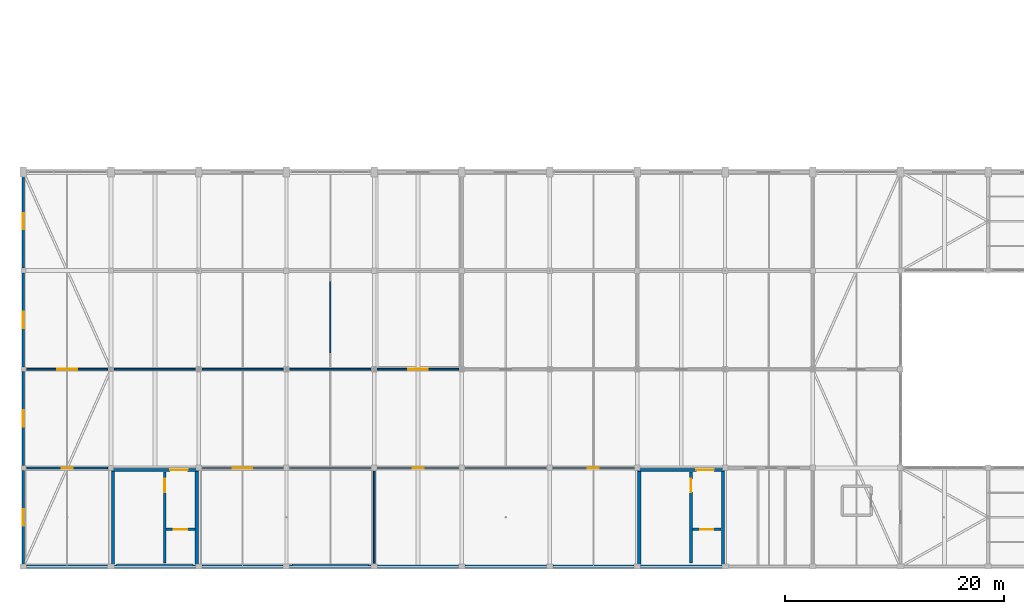
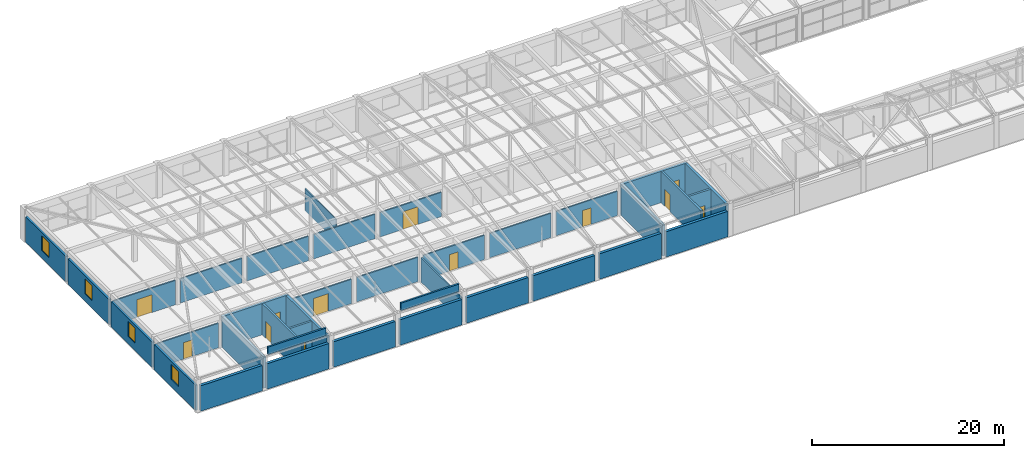
# One storey, part 53 of 65: 37 walls, 12 doors, 4 windows, 16 openings.
"""IFC4 building model written with IfcOpenShell, lengths in metres."""

from ifc_helpers import new_model, si_unit, direction, frame, frame_2d, origin, place, context, subcontext, project, spatial, rectangle, extrude, material, layer, layer_set, type_object, element, fill, save


model = new_model("IFC4")

# Units and contexts
model_context = context("Model", 3, precision=1e-05, world=origin(), true_north=direction((0.0, 1.0)))
body_context = subcontext(model_context, "Body", "Model", "MODEL_VIEW")
ifc_project = project(units=[si_unit("LENGTHUNIT", "METRE"), si_unit("AREAUNIT", "SQUARE_METRE"), si_unit("VOLUMEUNIT", "CUBIC_METRE"), si_unit("PLANEANGLEUNIT", "RADIAN"), si_unit("MASSUNIT", "GRAM", prefix="KILO")], contexts=[model_context])

# Site, building, storey
site_placement = place(None, origin())
site = spatial("IfcSite", under=ifc_project, at=site_placement, CompositionType="ELEMENT")
building_placement = place(site_placement, origin())
building = spatial("IfcBuilding", under=site, at=building_placement, Name="Varnabhumi Central Station", CompositionType="ELEMENT")
storey_placement = place(building_placement, frame((0.0, 0.0, 24.60009765625)))
storey = spatial("IfcBuildingStorey", under=building, at=storey_placement, Name="L05", CompositionType="ELEMENT", Elevation=24.60009765625)

# Walls
ifc_material_1 = material(Name="Concrete M40", Category="concrete")
ifc_layer_1 = layer(ifc_material_1, 0.300048828125, Name="Concrete M40", Category="concrete")
ifc_layer_set_1 = layer_set([ifc_layer_1], Name="Concrete M40")
wall_type_1 = type_object("IfcWallType", Name="WAL-CORE-RC-300", PredefinedType="SHEAR", material=ifc_layer_set_1)
for number, where, z_axis, x_axis, name in (
    (1, (40.179931640625, 0.179931640625, 0.0), (0.0, 0.0, 1.0), (0.0, 1.0, 0.0), "SC1 L05 West Shear Wall"),
    (2, (47.820068359375, 0.179931640625, 0.0), (0.0, 0.0, 1.0), (0.0, 1.0, 0.0), "SC1 L05 East Shear Wall"),
):
    element("IfcWall", number, at=place(storey_placement, frame(where, z_axis=z_axis, x_axis=x_axis)), inside=storey, type_object=wall_type_1, Name=name, PredefinedType="SHEAR", context=body_context, shape_type="SweptSolid", body=[
        extrude(rectangle(XDim=8.64013671875, YDim=0.300048828125, at=frame_2d((4.320068359375, 0.0))), origin(), (0.0, 0.0, 1.0), 3.97998046875),
    ])

# Wall, opening, door
wall_1_placement = place(storey_placement, frame((40.030029296875, 8.820068359375, 0.0), z_axis=(0.0, 0.0, 1.0), x_axis=(1.0, 0.0, 0.0)))
wall_1 = element("IfcWall", 3, at=wall_1_placement, inside=storey, type_object=wall_type_1, Name="SC1 L05 Corridor Shear Wall", PredefinedType="SHEAR", context=body_context, shape_type="SweptSolid", body=[
    extrude(rectangle(XDim=7.93994140625, YDim=0.300048828125, at=frame_2d((3.969970703125, 0.0))), origin(), (0.0, 0.0, 1.0), 3.97998046875),
])
opening_1_placement = place(wall_1_placement, frame((5.35009765625, 0.0, 0.0)))
opening_1 = element("IfcOpeningElement", 4, at=opening_1_placement, cuts=wall_1, Name="Opening FD-60D", PredefinedType="OPENING", context=body_context, shape_type="SweptSolid", body=[
    extrude(rectangle(XDim=1.60009765625, YDim=2.14990234375, at=frame_2d((0.800048828125, 1.074951171875))), frame((0.0, 0.159912109375, 0.0), z_axis=(0.0, -1.0, 0.0), x_axis=(1.0, 0.0, 0.0)), (0.0, 0.0, 1.0), 0.320068359375),
])
ifc_material_2 = material(Name="Intumescent-treated hardwood timber", Category="wood")
door_type_1 = type_object("IfcDoorType", Name="DR-FIRE-60-1600", OperationType="NOTDEFINED", PredefinedType="DOOR", material=ifc_material_2)
door_1_placement = place(opening_1_placement, origin())
door_1 = element("IfcDoor", 5, at=door_1_placement, inside=storey, type_object=door_type_1, Name="SC1 L05 Lobby Fire Door", OperationType="DOUBLE_DOOR_SINGLE_SWING", OverallHeight=2.14990234375, OverallWidth=1.60009765625, PredefinedType="DOOR", context=body_context, shape_type="SweptSolid", body=[
    extrude(rectangle(XDim=1.60009765625, YDim=2.14990234375, at=frame_2d((0.800048828125, 1.074951171875))), frame((0.0, 0.02490234375, 0.0), z_axis=(0.0, -1.0, 0.0), x_axis=(1.0, 0.0, 0.0)), (0.0, 0.0, 1.0), 0.050048828125),
])
fill(opening_1, door_1)

# Walls
for number, where, z_axis, x_axis, name in (
    (6, (88.179931640625, 0.179931640625, 0.0), (0.0, 0.0, 1.0), (0.0, 1.0, 0.0), "SC2 L05 West Shear Wall"),
    (7, (95.820068359375, 0.179931640625, 0.0), (0.0, 0.0, 1.0), (0.0, 1.0, 0.0), "SC2 L05 East Shear Wall"),
):
    element("IfcWall", number, at=place(storey_placement, frame(where, z_axis=z_axis, x_axis=x_axis)), inside=storey, type_object=wall_type_1, Name=name, PredefinedType="SHEAR", context=body_context, shape_type="SweptSolid", body=[
        extrude(rectangle(XDim=8.64013671875, YDim=0.300048828125, at=frame_2d((4.320068359375, 0.0))), origin(), (0.0, 0.0, 1.0), 3.97998046875),
    ])

# Wall, opening, door
wall_2_placement = place(storey_placement, frame((88.030029296875, 8.820068359375, 0.0), z_axis=(0.0, 0.0, 1.0), x_axis=(1.0, 0.0, 0.0)))
wall_2 = element("IfcWall", 8, at=wall_2_placement, inside=storey, type_object=wall_type_1, Name="SC2 L05 Corridor Shear Wall", PredefinedType="SHEAR", context=body_context, shape_type="SweptSolid", body=[
    extrude(rectangle(XDim=7.93994140625, YDim=0.300048828125, at=frame_2d((3.969970703125, 0.0))), origin(), (0.0, 0.0, 1.0), 3.97998046875),
])
opening_2_placement = place(wall_2_placement, frame((5.35009765625, 0.0, 0.0)))
opening_2 = element("IfcOpeningElement", 9, at=opening_2_placement, cuts=wall_2, Name="Opening FD-60D", PredefinedType="OPENING", context=body_context, shape_type="SweptSolid", body=[
    extrude(rectangle(XDim=1.60009765625, YDim=2.14990234375, at=frame_2d((0.800048828125, 1.074951171875))), frame((0.0, 0.159912109375, 0.0), z_axis=(0.0, -1.0, 0.0), x_axis=(1.0, 0.0, 0.0)), (0.0, 0.0, 1.0), 0.320068359375),
])
door_2_placement = place(opening_2_placement, origin())
door_2 = element("IfcDoor", 10, at=door_2_placement, inside=storey, type_object=door_type_1, Name="SC2 L05 Lobby Fire Door", OperationType="DOUBLE_DOOR_SINGLE_SWING", OverallHeight=2.14990234375, OverallWidth=1.60009765625, PredefinedType="DOOR", context=body_context, shape_type="SweptSolid", body=[
    extrude(rectangle(XDim=1.60009765625, YDim=2.14990234375, at=frame_2d((0.800048828125, 1.074951171875))), frame((0.0, 0.02490234375, 0.0), z_axis=(0.0, -1.0, 0.0), x_axis=(1.0, 0.0, 0.0)), (0.0, 0.0, 1.0), 0.050048828125),
])
fill(opening_2, door_2)

# Wall, opening, window
ifc_material_3 = material(Name="Autoclaved aerated blockwork masonry", Category="masonry")
ifc_layer_2 = layer(ifc_material_3, 0.260009765625, Name="Autoclaved aerated blockwork masonry", Category="masonry")
ifc_layer_set_2 = layer_set([ifc_layer_2], Name="Autoclaved aerated blockwork masonry")
wall_type_2 = type_object("IfcWallType", Name="WAL-EXT-STUCCO-260", PredefinedType="SOLIDWALL", material=ifc_layer_set_2)
wall_3_placement = place(storey_placement, frame((32.0, 0.219970703125, 0.0), z_axis=(0.0, 0.0, 1.0), x_axis=(0.0, 1.0, 0.0)))
wall_3 = element("IfcWall", 11, at=wall_3_placement, inside=storey, type_object=wall_type_2, Name="South Wing E End Wall L05-1", PredefinedType="SOLIDWALL", context=body_context, shape_type="SweptSolid", body=[
    extrude(rectangle(XDim=8.56005859375, YDim=0.260009765625, at=frame_2d((4.280029296875, 0.0))), origin(), (0.0, 0.0, 1.0), 3.239990234375),
])
opening_3_placement = place(wall_3_placement, frame((3.530029296875, 0.0, 0.949951171875)))
opening_3 = element("IfcOpeningElement", 12, at=opening_3_placement, cuts=wall_3, Name="Opening W-07", PredefinedType="OPENING", context=body_context, shape_type="SweptSolid", body=[
    extrude(rectangle(XDim=1.5, YDim=1.89990234375, at=frame_2d((0.75, 0.949951171875))), frame((0.0, 0.139892578125, 0.0), z_axis=(0.0, -1.0, 0.0), x_axis=(1.0, 0.0, 0.0)), (0.0, 0.0, 1.0), 0.280029296875),
])
ifc_material_4 = material(Name="Laminated low-E double glazing", Category="glass")
window_type = type_object("IfcWindowType", Name="WIN-OPS-1500x1900", PartitioningType="SINGLE_PANEL", PredefinedType="WINDOW", material=ifc_material_4)
window_1_placement = place(opening_3_placement, origin())
window_1 = element("IfcWindow", 13, at=window_1_placement, inside=storey, type_object=window_type, Name="South E Window L05-1", OverallHeight=1.89990234375, OverallWidth=1.5, PartitioningType="SINGLE_PANEL", PredefinedType="WINDOW", context=body_context, shape_type="SweptSolid", body=[
    extrude(rectangle(XDim=1.5, YDim=1.89990234375, at=frame_2d((0.75, 0.949951171875))), frame((0.0, 0.030029296875, 0.0), z_axis=(0.0, -1.0, 0.0), x_axis=(1.0, 0.0, 0.0)), (0.0, 0.0, 1.0), 0.06005859375),
])
fill(opening_3, window_1)

wall_4_placement = place(storey_placement, frame((32.0, 9.219970703125, 0.0), z_axis=(0.0, 0.0, 1.0), x_axis=(0.0, 1.0, 0.0)))
wall_4 = element("IfcWall", 14, at=wall_4_placement, inside=storey, type_object=wall_type_2, Name="South Wing E End Wall L05-2", PredefinedType="SOLIDWALL", context=body_context, shape_type="SweptSolid", body=[
    extrude(rectangle(XDim=8.56005859375, YDim=0.260009765625, at=frame_2d((4.280029296875, 0.0))), origin(), (0.0, 0.0, 1.0), 3.239990234375),
])
opening_4_placement = place(wall_4_placement, frame((3.530029296875, 0.0, 0.949951171875)))
opening_4 = element("IfcOpeningElement", 15, at=opening_4_placement, cuts=wall_4, Name="Opening W-07", PredefinedType="OPENING", context=body_context, shape_type="SweptSolid", body=[
    extrude(rectangle(XDim=1.5, YDim=1.89990234375, at=frame_2d((0.75, 0.949951171875))), frame((0.0, 0.139892578125, 0.0), z_axis=(0.0, -1.0, 0.0), x_axis=(1.0, 0.0, 0.0)), (0.0, 0.0, 1.0), 0.280029296875),
])
window_2_placement = place(opening_4_placement, origin())
window_2 = element("IfcWindow", 16, at=window_2_placement, inside=storey, type_object=window_type, Name="South E Window L05-2", OverallHeight=1.89990234375, OverallWidth=1.5, PartitioningType="SINGLE_PANEL", PredefinedType="WINDOW", context=body_context, shape_type="SweptSolid", body=[
    extrude(rectangle(XDim=1.5, YDim=1.89990234375, at=frame_2d((0.75, 0.949951171875))), frame((0.0, 0.030029296875, 0.0), z_axis=(0.0, -1.0, 0.0), x_axis=(1.0, 0.0, 0.0)), (0.0, 0.0, 1.0), 0.06005859375),
])
fill(opening_4, window_2)

wall_5_placement = place(storey_placement, frame((32.0, 18.219970703125, 0.0), z_axis=(0.0, 0.0, 1.0), x_axis=(0.0, 1.0, 0.0)))
wall_5 = element("IfcWall", 17, at=wall_5_placement, inside=storey, type_object=wall_type_2, Name="South Wing E End Wall L05-3", PredefinedType="SOLIDWALL", context=body_context, shape_type="SweptSolid", body=[
    extrude(rectangle(XDim=8.56005859375, YDim=0.260009765625, at=frame_2d((4.280029296875, 0.0))), origin(), (0.0, 0.0, 1.0), 3.239990234375),
])
opening_5_placement = place(wall_5_placement, frame((3.530029296875, 0.0, 0.949951171875)))
opening_5 = element("IfcOpeningElement", 18, at=opening_5_placement, cuts=wall_5, Name="Opening W-07", PredefinedType="OPENING", context=body_context, shape_type="SweptSolid", body=[
    extrude(rectangle(XDim=1.5, YDim=1.89990234375, at=frame_2d((0.75, 0.949951171875))), frame((0.0, 0.139892578125, 0.0), z_axis=(0.0, -1.0, 0.0), x_axis=(1.0, 0.0, 0.0)), (0.0, 0.0, 1.0), 0.280029296875),
])
window_3_placement = place(opening_5_placement, origin())
window_3 = element("IfcWindow", 19, at=window_3_placement, inside=storey, type_object=window_type, Name="South E Window L05-3", OverallHeight=1.89990234375, OverallWidth=1.5, PartitioningType="SINGLE_PANEL", PredefinedType="WINDOW", context=body_context, shape_type="SweptSolid", body=[
    extrude(rectangle(XDim=1.5, YDim=1.89990234375, at=frame_2d((0.75, 0.949951171875))), frame((0.0, 0.030029296875, 0.0), z_axis=(0.0, -1.0, 0.0), x_axis=(1.0, 0.0, 0.0)), (0.0, 0.0, 1.0), 0.06005859375),
])
fill(opening_5, window_3)

wall_6_placement = place(storey_placement, frame((32.0, 27.219970703125, 0.0), z_axis=(0.0, 0.0, 1.0), x_axis=(0.0, 1.0, 0.0)))
wall_6 = element("IfcWall", 20, at=wall_6_placement, inside=storey, type_object=wall_type_2, Name="South Wing E End Wall L05-4", PredefinedType="SOLIDWALL", context=body_context, shape_type="SweptSolid", body=[
    extrude(rectangle(XDim=8.380126953125, YDim=0.260009765625, at=frame_2d((4.18994140625, 0.0))), origin(), (0.0, 0.0, 1.0), 3.239990234375),
])
opening_6_placement = place(wall_6_placement, frame((3.530029296875, 0.0, 0.949951171875)))
opening_6 = element("IfcOpeningElement", 21, at=opening_6_placement, cuts=wall_6, Name="Opening W-07", PredefinedType="OPENING", context=body_context, shape_type="SweptSolid", body=[
    extrude(rectangle(XDim=1.5, YDim=1.89990234375, at=frame_2d((0.75, 0.949951171875))), frame((0.0, 0.139892578125, 0.0), z_axis=(0.0, -1.0, 0.0), x_axis=(1.0, 0.0, 0.0)), (0.0, 0.0, 1.0), 0.280029296875),
])
window_4_placement = place(opening_6_placement, origin())
window_4 = element("IfcWindow", 22, at=window_4_placement, inside=storey, type_object=window_type, Name="South E Window L05-4", OverallHeight=1.89990234375, OverallWidth=1.5, PartitioningType="SINGLE_PANEL", PredefinedType="WINDOW", context=body_context, shape_type="SweptSolid", body=[
    extrude(rectangle(XDim=1.5, YDim=1.89990234375, at=frame_2d((0.75, 0.949951171875))), frame((0.0, 0.030029296875, 0.0), z_axis=(0.0, -1.0, 0.0), x_axis=(1.0, 0.0, 0.0)), (0.0, 0.0, 1.0), 0.06005859375),
])
fill(opening_6, window_4)

# Walls
ifc_material_5 = material(Name="Precast concrete M45", Category="concrete")
ifc_layer_3 = layer(ifc_material_5, 0.219970703125, Name="Precast concrete M45", Category="concrete")
ifc_layer_set_3 = layer_set([ifc_layer_3], Name="Precast concrete M45")
wall_type_3 = type_object("IfcWallType", Name="WAL-PARAPET-220", PredefinedType="PARAPET", material=ifc_layer_set_3)
for number, where, z_axis, x_axis, name in (
    (23, (40.5, 0.14990234375, 4.199951171875), (0.0, 0.0, 1.0), (1.0, 0.0, 0.0), "Roof Parapet Upstand 5"),
    (24, (56.5, 0.14990234375, 4.199951171875), (0.0, 0.0, 1.0), (1.0, 0.0, 0.0), "Roof Parapet Upstand 6"),
):
    element("IfcWall", number, at=place(storey_placement, frame(where, z_axis=z_axis, x_axis=x_axis)), inside=storey, type_object=wall_type_3, Name=name, PredefinedType="PARAPET", context=body_context, shape_type="SweptSolid", body=[
        extrude(rectangle(XDim=7.0, YDim=0.219970703125, at=frame_2d((3.5, 0.0))), origin(), (0.0, 0.0, 1.0), 0.949951171875),
    ])

# Wall, opening, door
ifc_layer_4 = layer(ifc_material_3, 0.159912109375, Name="Autoclaved aerated blockwork masonry", Category="masonry")
ifc_layer_set_4 = layer_set([ifc_layer_4], Name="Autoclaved aerated blockwork masonry")
wall_type_4 = type_object("IfcWallType", Name="WAL-PART-AAC-160", PredefinedType="PARTITIONING", material=ifc_layer_set_4)
wall_7_placement = place(storey_placement, frame((32.300048828125, 18.0, 0.0), z_axis=(0.0, 0.0, 1.0), x_axis=(1.0, 0.0, 0.0)))
wall_7 = element("IfcWall", 25, at=wall_7_placement, inside=storey, type_object=wall_type_4, Name="Railway Staff Canteen and Dining Hall Corridor Partition 1", PredefinedType="PARTITIONING", context=body_context, shape_type="SweptSolid", body=[
    extrude(rectangle(XDim=7.39990234375, YDim=0.159912109375, at=frame_2d((3.699951171875, 0.0))), origin(), (0.0, 0.0, 1.0), 3.099853515625),
])
opening_7_placement = place(wall_7_placement, frame((2.800048828125, 0.0, 0.0)))
opening_7 = element("IfcOpeningElement", 26, at=opening_7_placement, cuts=wall_7, Name="Opening D-02", PredefinedType="OPENING", context=body_context, shape_type="SweptSolid", body=[
    extrude(rectangle(XDim=1.800048828125, YDim=2.25, at=frame_2d((0.89990234375, 1.125))), frame((0.0, 0.08984375, 0.0), z_axis=(0.0, -1.0, 0.0), x_axis=(1.0, 0.0, 0.0)), (0.0, 0.0, 1.0), 0.179931640625),
])
ifc_material_6 = material(Name="Anodised aluminium 6063-T6", Category="aluminium")
door_type_2 = type_object("IfcDoorType", Name="DR-LOUNGE-1800", OperationType="NOTDEFINED", PredefinedType="DOOR", material=ifc_material_6)
door_3_placement = place(opening_7_placement, frame((1.800048828125, 0.0, 0.0), z_axis=(0.0, 0.0, 1.0), x_axis=(-1.0, 0.0, 0.0)))
door_3 = element("IfcDoor", 27, at=door_3_placement, inside=storey, type_object=door_type_2, Name="Railway Staff Canteen and Dining Hall Door 1", OperationType="DOUBLE_DOOR_SINGLE_SWING", OverallHeight=2.25, OverallWidth=1.800048828125, PredefinedType="DOOR", context=body_context, shape_type="SweptSolid", body=[
    extrude(rectangle(XDim=1.800048828125, YDim=2.25, at=frame_2d((0.89990234375, 1.125))), frame((0.0, 0.02490234375, 0.0), z_axis=(0.0, -1.0, 0.0), x_axis=(1.0, 0.0, 0.0)), (0.0, 0.0, 1.0), 0.050048828125),
])
fill(opening_7, door_3)

# Walls
for number, where, z_axis, x_axis, name in (
    (28, (40.300048828125, 18.0, 0.0), (0.0, 0.0, 1.0), (1.0, 0.0, 0.0), "Railway Staff Canteen and Dining Hall Corridor Partition 2"),
    (29, (48.300048828125, 18.0, 0.0), (0.0, 0.0, 1.0), (1.0, 0.0, 0.0), "Railway Staff Canteen and Dining Hall Corridor Partition 3"),
    (30, (56.300048828125, 18.0, 0.0), (0.0, 0.0, 1.0), (1.0, 0.0, 0.0), "Railway Staff Canteen and Dining Hall Corridor Partition 4"),
):
    element("IfcWall", number, at=place(storey_placement, frame(where, z_axis=z_axis, x_axis=x_axis)), inside=storey, type_object=wall_type_4, Name=name, PredefinedType="PARTITIONING", context=body_context, shape_type="SweptSolid", body=[
        extrude(rectangle(XDim=7.39990234375, YDim=0.159912109375, at=frame_2d((3.699951171875, 0.0))), origin(), (0.0, 0.0, 1.0), 3.099853515625),
    ])

# Wall, opening, door
wall_8_placement = place(storey_placement, frame((64.300048828125, 18.0, 0.0), z_axis=(0.0, 0.0, 1.0), x_axis=(1.0, 0.0, 0.0)))
wall_8 = element("IfcWall", 31, at=wall_8_placement, inside=storey, type_object=wall_type_4, Name="Railway Staff Canteen and Dining Hall Corridor Partition 5", PredefinedType="PARTITIONING", context=body_context, shape_type="SweptSolid", body=[
    extrude(rectangle(XDim=7.39990234375, YDim=0.159912109375, at=frame_2d((3.699951171875, 0.0))), origin(), (0.0, 0.0, 1.0), 3.099853515625),
])
opening_8_placement = place(wall_8_placement, frame((2.800048828125, 0.0, 0.0)))
opening_8 = element("IfcOpeningElement", 32, at=opening_8_placement, cuts=wall_8, Name="Opening D-02", PredefinedType="OPENING", context=body_context, shape_type="SweptSolid", body=[
    extrude(rectangle(XDim=1.800048828125, YDim=2.25, at=frame_2d((0.89990234375, 1.125))), frame((0.0, 0.08984375, 0.0), z_axis=(0.0, -1.0, 0.0), x_axis=(1.0, 0.0, 0.0)), (0.0, 0.0, 1.0), 0.179931640625),
])
door_4_placement = place(opening_8_placement, frame((1.800048828125, 0.0, 0.0), z_axis=(0.0, 0.0, 1.0), x_axis=(-1.0, 0.0, 0.0)))
door_4 = element("IfcDoor", 33, at=door_4_placement, inside=storey, type_object=door_type_2, Name="Railway Staff Canteen and Dining Hall Door 5", OperationType="DOUBLE_DOOR_SINGLE_SWING", OverallHeight=2.25, OverallWidth=1.800048828125, PredefinedType="DOOR", context=body_context, shape_type="SweptSolid", body=[
    extrude(rectangle(XDim=1.800048828125, YDim=2.25, at=frame_2d((0.89990234375, 1.125))), frame((0.0, 0.02490234375, 0.0), z_axis=(0.0, -1.0, 0.0), x_axis=(1.0, 0.0, 0.0)), (0.0, 0.0, 1.0), 0.050048828125),
])
fill(opening_8, door_4)

wall_9_placement = place(storey_placement, frame((32.300048828125, 9.0, 0.0), z_axis=(0.0, 0.0, 1.0), x_axis=(1.0, 0.0, 0.0)))
wall_9 = element("IfcWall", 34, at=wall_9_placement, inside=storey, type_object=wall_type_4, Name="Running Crew Recreation Room Corridor Partition 1", PredefinedType="PARTITIONING", context=body_context, shape_type="SweptSolid", body=[
    extrude(rectangle(XDim=7.39990234375, YDim=0.159912109375, at=frame_2d((3.699951171875, 0.0))), origin(), (0.0, 0.0, 1.0), 3.099853515625),
])
opening_9_placement = place(wall_9_placement, frame((3.199951171875, 0.0, 0.0)))
opening_9 = element("IfcOpeningElement", 35, at=opening_9_placement, cuts=wall_9, Name="Opening D-01", PredefinedType="OPENING", context=body_context, shape_type="SweptSolid", body=[
    extrude(rectangle(XDim=1.0, YDim=2.10009765625, at=frame_2d((0.5, 1.050048828125))), frame((0.0, 0.08984375, 0.0), z_axis=(0.0, -1.0, 0.0), x_axis=(1.0, 0.0, 0.0)), (0.0, 0.0, 1.0), 0.179931640625),
])
door_type_3 = type_object("IfcDoorType", Name="DR-ROOM-1000", OperationType="NOTDEFINED", PredefinedType="DOOR", material=ifc_material_2)
door_5_placement = place(opening_9_placement, origin())
door_5 = element("IfcDoor", 36, at=door_5_placement, inside=storey, type_object=door_type_3, Name="Running Crew Recreation Room Door 1", OperationType="SINGLE_SWING_RIGHT", OverallHeight=2.10009765625, OverallWidth=1.0, PredefinedType="DOOR", context=body_context, shape_type="SweptSolid", body=[
    extrude(rectangle(XDim=1.0, YDim=2.10009765625, at=frame_2d((0.5, 1.050048828125))), frame((0.0, 0.02490234375, 0.0), z_axis=(0.0, -1.0, 0.0), x_axis=(1.0, 0.0, 0.0)), (0.0, 0.0, 1.0), 0.050048828125),
])
fill(opening_9, door_5)

wall_10_placement = place(storey_placement, frame((48.300048828125, 9.0, 0.0), z_axis=(0.0, 0.0, 1.0), x_axis=(1.0, 0.0, 0.0)))
wall_10 = element("IfcWall", 37, at=wall_10_placement, inside=storey, type_object=wall_type_4, Name="Staff Canteen Server and Pantry Corridor Partition 1", PredefinedType="PARTITIONING", context=body_context, shape_type="SweptSolid", body=[
    extrude(rectangle(XDim=7.39990234375, YDim=0.159912109375, at=frame_2d((3.699951171875, 0.0))), origin(), (0.0, 0.0, 1.0), 3.099853515625),
])
opening_10_placement = place(wall_10_placement, frame((2.800048828125, 0.0, 0.0)))
opening_10 = element("IfcOpeningElement", 38, at=opening_10_placement, cuts=wall_10, Name="Opening D-02", PredefinedType="OPENING", context=body_context, shape_type="SweptSolid", body=[
    extrude(rectangle(XDim=1.800048828125, YDim=2.25, at=frame_2d((0.89990234375, 1.125))), frame((0.0, 0.08984375, 0.0), z_axis=(0.0, -1.0, 0.0), x_axis=(1.0, 0.0, 0.0)), (0.0, 0.0, 1.0), 0.179931640625),
])
door_6_placement = place(opening_10_placement, origin())
door_6 = element("IfcDoor", 39, at=door_6_placement, inside=storey, type_object=door_type_2, Name="Staff Canteen Server and Pantry Door 1", OperationType="DOUBLE_DOOR_SINGLE_SWING", OverallHeight=2.25, OverallWidth=1.800048828125, PredefinedType="DOOR", context=body_context, shape_type="SweptSolid", body=[
    extrude(rectangle(XDim=1.800048828125, YDim=2.25, at=frame_2d((0.89990234375, 1.125))), frame((0.0, 0.02490234375, 0.0), z_axis=(0.0, -1.0, 0.0), x_axis=(1.0, 0.0, 0.0)), (0.0, 0.0, 1.0), 0.050048828125),
])
fill(opening_10, door_6)

# Walls
wall_11_placement = place(storey_placement, frame((56.300048828125, 9.0, 0.0), z_axis=(0.0, 0.0, 1.0), x_axis=(1.0, 0.0, 0.0)))
element("IfcWall", 40, at=wall_11_placement, inside=storey, type_object=wall_type_4, Name="Staff Canteen Server and Pantry Corridor Partition 2", PredefinedType="PARTITIONING", context=body_context, shape_type="SweptSolid", body=[
    extrude(rectangle(XDim=7.39990234375, YDim=0.159912109375, at=frame_2d((3.699951171875, 0.0))), origin(), (0.0, 0.0, 1.0), 3.099853515625),
])
wall_12_placement = place(storey_placement, frame((64.0, 0.300048828125, 0.0), z_axis=(0.0, 0.0, 1.0), x_axis=(0.0, 1.0, 0.0)))
element("IfcWall", 41, at=wall_12_placement, inside=storey, type_object=wall_type_4, Name="Staff Canteen Server and Pantry W Partition 1", PredefinedType="PARTITIONING", context=body_context, shape_type="SweptSolid", body=[
    extrude(rectangle(XDim=8.39990234375, YDim=0.159912109375, at=frame_2d((4.199951171875, 0.0))), origin(), (0.0, 0.0, 1.0), 3.099853515625),
])

# Wall, opening, door
wall_13_placement = place(storey_placement, frame((64.300048828125, 9.0, 0.0), z_axis=(0.0, 0.0, 1.0), x_axis=(1.0, 0.0, 0.0)))
wall_13 = element("IfcWall", 42, at=wall_13_placement, inside=storey, type_object=wall_type_4, Name="Male Train Crew Locker and Shower Room Corridor Partition 1", PredefinedType="PARTITIONING", context=body_context, shape_type="SweptSolid", body=[
    extrude(rectangle(XDim=7.39990234375, YDim=0.159912109375, at=frame_2d((3.699951171875, 0.0))), origin(), (0.0, 0.0, 1.0), 3.099853515625),
])
opening_11_placement = place(wall_13_placement, frame((3.199951171875, 0.0, 0.0)))
opening_11 = element("IfcOpeningElement", 43, at=opening_11_placement, cuts=wall_13, Name="Opening D-01", PredefinedType="OPENING", context=body_context, shape_type="SweptSolid", body=[
    extrude(rectangle(XDim=1.0, YDim=2.10009765625, at=frame_2d((0.5, 1.050048828125))), frame((0.0, 0.08984375, 0.0), z_axis=(0.0, -1.0, 0.0), x_axis=(1.0, 0.0, 0.0)), (0.0, 0.0, 1.0), 0.179931640625),
])
door_7_placement = place(opening_11_placement, origin())
door_7 = element("IfcDoor", 44, at=door_7_placement, inside=storey, type_object=door_type_3, Name="Male Train Crew Locker and Shower Room Door 1", OperationType="SINGLE_SWING_LEFT", OverallHeight=2.10009765625, OverallWidth=1.0, PredefinedType="DOOR", context=body_context, shape_type="SweptSolid", body=[
    extrude(rectangle(XDim=1.0, YDim=2.10009765625, at=frame_2d((0.5, 1.050048828125))), frame((0.0, 0.02490234375, 0.0), z_axis=(0.0, -1.0, 0.0), x_axis=(1.0, 0.0, 0.0)), (0.0, 0.0, 1.0), 0.050048828125),
])
fill(opening_11, door_7)

# Wall
wall_14_placement = place(storey_placement, frame((72.300048828125, 9.0, 0.0), z_axis=(0.0, 0.0, 1.0), x_axis=(1.0, 0.0, 0.0)))
element("IfcWall", 45, at=wall_14_placement, inside=storey, type_object=wall_type_4, Name="Male Train Crew Locker and Shower Room Corridor Partition 2", PredefinedType="PARTITIONING", context=body_context, shape_type="SweptSolid", body=[
    extrude(rectangle(XDim=7.39990234375, YDim=0.159912109375, at=frame_2d((3.699951171875, 0.0))), origin(), (0.0, 0.0, 1.0), 3.099853515625),
])

# Wall, opening, door
wall_15_placement = place(storey_placement, frame((80.300048828125, 9.0, 0.0), z_axis=(0.0, 0.0, 1.0), x_axis=(1.0, 0.0, 0.0)))
wall_15 = element("IfcWall", 46, at=wall_15_placement, inside=storey, type_object=wall_type_4, Name="Male Train Crew Locker and Shower Room Corridor Partition 3", PredefinedType="PARTITIONING", context=body_context, shape_type="SweptSolid", body=[
    extrude(rectangle(XDim=7.39990234375, YDim=0.159912109375, at=frame_2d((3.699951171875, 0.0))), origin(), (0.0, 0.0, 1.0), 3.099853515625),
])
opening_12_placement = place(wall_15_placement, frame((3.199951171875, 0.0, 0.0)))
opening_12 = element("IfcOpeningElement", 47, at=opening_12_placement, cuts=wall_15, Name="Opening D-01", PredefinedType="OPENING", context=body_context, shape_type="SweptSolid", body=[
    extrude(rectangle(XDim=1.0, YDim=2.10009765625, at=frame_2d((0.5, 1.050048828125))), frame((0.0, 0.08984375, 0.0), z_axis=(0.0, -1.0, 0.0), x_axis=(1.0, 0.0, 0.0)), (0.0, 0.0, 1.0), 0.179931640625),
])
door_8_placement = place(opening_12_placement, origin())
door_8 = element("IfcDoor", 48, at=door_8_placement, inside=storey, type_object=door_type_3, Name="Male Train Crew Locker and Shower Room Door 3", OperationType="SINGLE_SWING_RIGHT", OverallHeight=2.10009765625, OverallWidth=1.0, PredefinedType="DOOR", context=body_context, shape_type="SweptSolid", body=[
    extrude(rectangle(XDim=1.0, YDim=2.10009765625, at=frame_2d((0.5, 1.050048828125))), frame((0.0, 0.02490234375, 0.0), z_axis=(0.0, -1.0, 0.0), x_axis=(1.0, 0.0, 0.0)), (0.0, 0.0, 1.0), 0.050048828125),
])
fill(opening_12, door_8)

# Wall
ifc_layer_5 = layer(ifc_material_3, 0.1201171875, Name="Autoclaved aerated blockwork masonry", Category="masonry")
ifc_layer_set_5 = layer_set([ifc_layer_5], Name="Autoclaved aerated blockwork masonry")
wall_type_5 = type_object("IfcWallType", Name="WAL-PART-DRY-120", PredefinedType="MOVABLE", material=ifc_layer_set_5)
wall_16_placement = place(storey_placement, frame((60.0, 19.5, 0.0), z_axis=(0.0, 0.0, 1.0), x_axis=(0.0, 1.0, 0.0)))
element("IfcWall", 49, at=wall_16_placement, inside=storey, type_object=wall_type_5, Name="Acoustic Operable Partition MP-6", PredefinedType="MOVABLE", context=body_context, shape_type="SweptSolid", body=[
    extrude(rectangle(XDim=6.5, YDim=0.1201171875, at=frame_2d((3.25, 0.0))), origin(), (0.0, 0.0, 1.0), 2.7998046875),
])

# Wall, opening, door
ifc_layer_6 = layer(ifc_material_1, 0.239990234375, Name="Concrete M40", Category="concrete")
ifc_layer_set_6 = layer_set([ifc_layer_6], Name="Concrete M40")
wall_type_6 = type_object("IfcWallType", Name="WAL-SHAFT-RC-240", PredefinedType="SHEAR", material=ifc_layer_set_6)
wall_17_placement = place(storey_placement, frame((44.89990234375, 0.35009765625, 0.0), z_axis=(0.0, 0.0, 1.0), x_axis=(0.0, 1.0, 0.0)))
wall_17 = element("IfcWall", 50, at=wall_17_placement, inside=storey, type_object=wall_type_6, Name="SC1 L05 Stair-Lobby Divider Wall", PredefinedType="SHEAR", context=body_context, shape_type="SweptSolid", body=[
    extrude(rectangle(XDim=8.2998046875, YDim=0.239990234375, at=frame_2d((4.14990234375, 0.0))), origin(), (0.0, 0.0, 1.0), 3.97998046875),
])
opening_13_placement = place(wall_17_placement, frame((6.449951171875, 0.0, 0.0)))
opening_13 = element("IfcOpeningElement", 51, at=opening_13_placement, cuts=wall_17, Name="Opening FD-120", PredefinedType="OPENING", context=body_context, shape_type="SweptSolid", body=[
    extrude(rectangle(XDim=1.199951171875, YDim=2.14990234375, at=frame_2d((0.60009765625, 1.074951171875))), frame((0.0, 0.1298828125, 0.0), z_axis=(0.0, -1.0, 0.0), x_axis=(1.0, 0.0, 0.0)), (0.0, 0.0, 1.0), 0.260009765625),
])
ifc_material_7 = material(Name="Stainless steel Grade 316", Category="steel")
door_type_4 = type_object("IfcDoorType", Name="DR-FIRE-120-1200", OperationType="NOTDEFINED", PredefinedType="DOOR", material=ifc_material_7)
door_9_placement = place(opening_13_placement, origin())
door_9 = element("IfcDoor", 52, at=door_9_placement, inside=storey, type_object=door_type_4, Name="ST-S1 L05 Fire Door", OperationType="SINGLE_SWING_RIGHT", OverallHeight=2.14990234375, OverallWidth=1.199951171875, PredefinedType="DOOR", context=body_context, shape_type="SweptSolid", body=[
    extrude(rectangle(XDim=1.199951171875, YDim=2.14990234375, at=frame_2d((0.60009765625, 1.074951171875))), frame((0.0, 0.02490234375, 0.0), z_axis=(0.0, -1.0, 0.0), x_axis=(1.0, 0.0, 0.0)), (0.0, 0.0, 1.0), 0.050048828125),
])
fill(opening_13, door_9)

wall_18_placement = place(storey_placement, frame((45.02001953125, 3.39990234375, 0.0), z_axis=(0.0, 0.0, 1.0), x_axis=(1.0, 0.0, 0.0)))
wall_18 = element("IfcWall", 53, at=wall_18_placement, inside=storey, type_object=wall_type_6, Name="FL-1 L05 Lift Shaft Front Wall", PredefinedType="SHEAR", context=body_context, shape_type="SweptSolid", body=[
    extrude(rectangle(XDim=2.6298828125, YDim=0.239990234375, at=frame_2d((1.31494140625, 0.0))), origin(), (0.0, 0.0, 1.0), 3.97998046875),
])
opening_14_placement = place(wall_18_placement, frame((0.715087890625, 0.0, 0.0)))
opening_14 = element("IfcOpeningElement", 54, at=opening_14_placement, cuts=wall_18, Name="Opening LD-FL-1", PredefinedType="OPENING", context=body_context, shape_type="SweptSolid", body=[
    extrude(rectangle(XDim=1.199951171875, YDim=2.14990234375, at=frame_2d((0.60009765625, 1.074951171875))), frame((0.0, 0.1298828125, 0.0), z_axis=(0.0, -1.0, 0.0), x_axis=(1.0, 0.0, 0.0)), (0.0, 0.0, 1.0), 0.260009765625),
])
door_type_5 = type_object("IfcDoorType", Name="DR-LIFT-FIRE-1200", OperationType="NOTDEFINED", PredefinedType="DOOR", material=ifc_material_7)
door_10_placement = place(opening_14_placement, origin())
door_10 = element("IfcDoor", 55, at=door_10_placement, inside=storey, type_object=door_type_5, Name="Lift Landing Door FL-1 L05", OperationType="DOUBLE_DOOR_SLIDING", OverallHeight=2.14990234375, OverallWidth=1.199951171875, PredefinedType="DOOR", context=body_context, shape_type="SweptSolid", body=[
    extrude(rectangle(XDim=1.199951171875, YDim=2.14990234375, at=frame_2d((0.60009765625, 1.074951171875))), frame((0.0, 0.02490234375, 0.0), z_axis=(0.0, -1.0, 0.0), x_axis=(1.0, 0.0, 0.0)), (0.0, 0.0, 1.0), 0.050048828125),
])
fill(opening_14, door_10)

wall_19_placement = place(storey_placement, frame((92.89990234375, 0.35009765625, 0.0), z_axis=(0.0, 0.0, 1.0), x_axis=(0.0, 1.0, 0.0)))
wall_19 = element("IfcWall", 56, at=wall_19_placement, inside=storey, type_object=wall_type_6, Name="SC2 L05 Stair-Lobby Divider Wall", PredefinedType="SHEAR", context=body_context, shape_type="SweptSolid", body=[
    extrude(rectangle(XDim=8.2998046875, YDim=0.239990234375, at=frame_2d((4.14990234375, 0.0))), origin(), (0.0, 0.0, 1.0), 3.97998046875),
])
opening_15_placement = place(wall_19_placement, frame((6.449951171875, 0.0, 0.0)))
opening_15 = element("IfcOpeningElement", 57, at=opening_15_placement, cuts=wall_19, Name="Opening FD-120", PredefinedType="OPENING", context=body_context, shape_type="SweptSolid", body=[
    extrude(rectangle(XDim=1.199951171875, YDim=2.14990234375, at=frame_2d((0.60009765625, 1.074951171875))), frame((0.0, 0.1298828125, 0.0), z_axis=(0.0, -1.0, 0.0), x_axis=(1.0, 0.0, 0.0)), (0.0, 0.0, 1.0), 0.260009765625),
])
door_11_placement = place(opening_15_placement, origin())
door_11 = element("IfcDoor", 58, at=door_11_placement, inside=storey, type_object=door_type_4, Name="ST-S2 L05 Fire Door", OperationType="SINGLE_SWING_RIGHT", OverallHeight=2.14990234375, OverallWidth=1.199951171875, PredefinedType="DOOR", context=body_context, shape_type="SweptSolid", body=[
    extrude(rectangle(XDim=1.199951171875, YDim=2.14990234375, at=frame_2d((0.60009765625, 1.074951171875))), frame((0.0, 0.02490234375, 0.0), z_axis=(0.0, -1.0, 0.0), x_axis=(1.0, 0.0, 0.0)), (0.0, 0.0, 1.0), 0.050048828125),
])
fill(opening_15, door_11)

wall_20_placement = place(storey_placement, frame((93.02001953125, 3.39990234375, 0.0), z_axis=(0.0, 0.0, 1.0), x_axis=(1.0, 0.0, 0.0)))
wall_20 = element("IfcWall", 59, at=wall_20_placement, inside=storey, type_object=wall_type_6, Name="FL-2 L05 Lift Shaft Front Wall", PredefinedType="SHEAR", context=body_context, shape_type="SweptSolid", body=[
    extrude(rectangle(XDim=2.6298828125, YDim=0.239990234375, at=frame_2d((1.31494140625, 0.0))), origin(), (0.0, 0.0, 1.0), 3.97998046875),
])
opening_16_placement = place(wall_20_placement, frame((0.715087890625, 0.0, 0.0)))
opening_16 = element("IfcOpeningElement", 60, at=opening_16_placement, cuts=wall_20, Name="Opening LD-FL-2", PredefinedType="OPENING", context=body_context, shape_type="SweptSolid", body=[
    extrude(rectangle(XDim=1.199951171875, YDim=2.14990234375, at=frame_2d((0.60009765625, 1.074951171875))), frame((0.0, 0.1298828125, 0.0), z_axis=(0.0, -1.0, 0.0), x_axis=(1.0, 0.0, 0.0)), (0.0, 0.0, 1.0), 0.260009765625),
])
door_12_placement = place(opening_16_placement, origin())
door_12 = element("IfcDoor", 61, at=door_12_placement, inside=storey, type_object=door_type_5, Name="Lift Landing Door FL-2 L05", OperationType="DOUBLE_DOOR_SLIDING", OverallHeight=2.14990234375, OverallWidth=1.199951171875, PredefinedType="DOOR", context=body_context, shape_type="SweptSolid", body=[
    extrude(rectangle(XDim=1.199951171875, YDim=2.14990234375, at=frame_2d((0.60009765625, 1.074951171875))), frame((0.0, 0.02490234375, 0.0), z_axis=(0.0, -1.0, 0.0), x_axis=(1.0, 0.0, 0.0)), (0.0, 0.0, 1.0), 0.050048828125),
])
fill(opening_16, door_12)

# Walls
ifc_layer_7 = layer(ifc_material_1, 0.340087890625, Name="Concrete M40", Category="concrete")
ifc_layer_set_7 = layer_set([ifc_layer_7], Name="Concrete M40")
wall_type_7 = type_object("IfcWallType", Name="WAL-SOUTH-FIRE-340", PredefinedType="SOLIDWALL", material=ifc_layer_set_7)
for number, where, z_axis, x_axis, name in (
    (62, (32.294921875, 0.0, 0.0), (0.0, 0.0, 1.0), (1.0, 0.0, 0.0), "South Infill Boundary Fire Wall L05-1"),
    (63, (40.294921875, 0.0, 0.0), (0.0, 0.0, 1.0), (1.0, 0.0, 0.0), "South Infill Boundary Fire Wall L05-2"),
    (64, (48.294921875, 0.0, 0.0), (0.0, 0.0, 1.0), (1.0, 0.0, 0.0), "South Infill Boundary Fire Wall L05-3"),
    (65, (56.294921875, 0.0, 0.0), (0.0, 0.0, 1.0), (1.0, 0.0, 0.0), "South Infill Boundary Fire Wall L05-4"),
    (66, (64.294921875, 0.0, 0.0), (0.0, 0.0, 1.0), (1.0, 0.0, 0.0), "South Infill Boundary Fire Wall L05-5"),
    (67, (72.294921875, 0.0, 0.0), (0.0, 0.0, 1.0), (1.0, 0.0, 0.0), "South Infill Boundary Fire Wall L05-6"),
    (68, (80.294921875, 0.0, 0.0), (0.0, 0.0, 1.0), (1.0, 0.0, 0.0), "South Infill Boundary Fire Wall L05-7"),
    (69, (88.294921875, 0.0, 0.0), (0.0, 0.0, 1.0), (1.0, 0.0, 0.0), "South Infill Boundary Fire Wall L05-8"),
):
    element("IfcWall", number, at=place(storey_placement, frame(where, z_axis=z_axis, x_axis=x_axis)), inside=storey, type_object=wall_type_7, Name=name, PredefinedType="SOLIDWALL", context=body_context, shape_type="SweptSolid", body=[
        extrude(rectangle(XDim=7.41015625, YDim=0.340087890625, at=frame_2d((3.705078125, 0.0))), origin(), (0.0, 0.0, 1.0), 3.239990234375),
    ])

save(model, "model.ifc")
